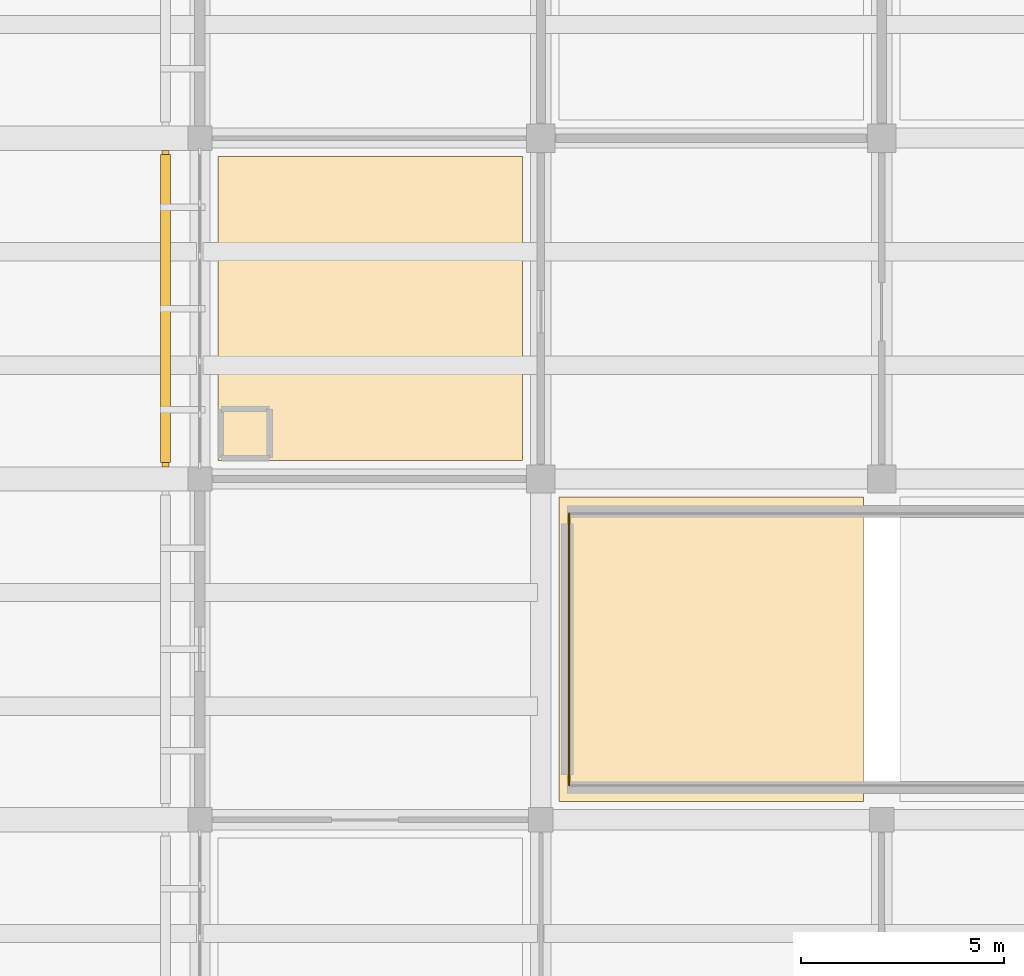
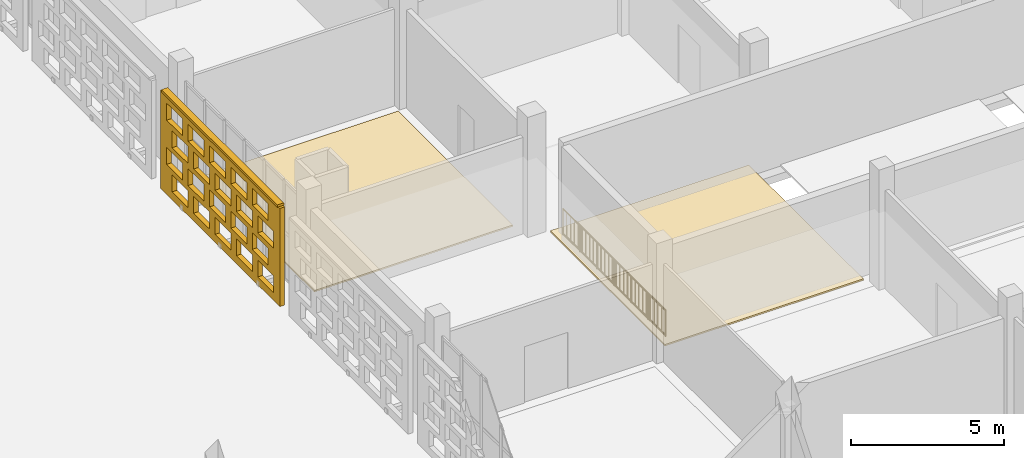
# One storey, part 117 of 129: 3 coverings, 1 railing, 1 shading device, 20 openings.
"""IFC4 building model written with IfcOpenShell, lengths in metres."""

from ifc_helpers import new_model, si_unit, direction, frame, frame_2d, origin, origin_2d, place, context, subcontext, project, spatial, rectangle, circle, extrude, material, layer, layer_set, type_object, element, save


model = new_model("IFC4")

# Units and contexts
model_context = context("Model", 3, precision=1e-05, world=origin(), true_north=direction((0.0, 1.0)))
body_context = subcontext(model_context, "Body", "Model", "MODEL_VIEW")
ifc_project = project(units=[si_unit("LENGTHUNIT", "METRE"), si_unit("AREAUNIT", "SQUARE_METRE"), si_unit("VOLUMEUNIT", "CUBIC_METRE"), si_unit("PLANEANGLEUNIT", "RADIAN"), si_unit("MASSUNIT", "GRAM", prefix="KILO")], contexts=[model_context])

# Site, building, storey
site_placement = place(None, origin())
site = spatial("IfcSite", under=ifc_project, at=site_placement, CompositionType="ELEMENT")
building_placement = place(site_placement, origin())
building = spatial("IfcBuilding", under=site, at=building_placement, Name="Varnapada Polytechnic", CompositionType="ELEMENT")
storey_placement = place(building_placement, origin())
storey = spatial("IfcBuildingStorey", under=building, at=storey_placement, Name="L00", CompositionType="ELEMENT", Elevation=0.0)

# Coverings
ifc_material_1 = material(Name="Anti-Static Raised Laboratory Flooring")
ifc_layer_1 = layer(ifc_material_1, 0.06005859375)
ifc_layer_set_1 = layer_set([ifc_layer_1], Name="Anti-Static Raised Laboratory Flooring")
covering_type_1 = type_object("IfcCoveringType", Name="Floor Finish FLR-02", PredefinedType="FLOORING", material=ifc_layer_set_1)
for number, where, z_axis, x_axis, name in (
    (1, (138.60009765625, 63.0, 0.0), (0.0, 0.0, 1.0), (1.0, 0.0, 0.0), "L00 floor finish panel (17,8)"),
    (2, (147.0, 54.60009765625, 0.0), (0.0, 0.0, 1.0), (1.0, 0.0, 0.0), "L00 floor finish panel (18,7)"),
):
    element("IfcCovering", number, at=place(storey_placement, frame(where, z_axis=z_axis, x_axis=x_axis)), inside=storey, type_object=covering_type_1, Name=name, PredefinedType="FLOORING", context=body_context, shape_type="SweptSolid", body=[
        extrude(rectangle(XDim=7.5, YDim=7.5, at=origin_2d()), origin(), (0.0, 0.0, 1.0), 0.06005859375),
    ])

# Railing
ifc_material_2 = material(Name="Painted galvanized steel", Category="steel")
railing_type = type_object("IfcRailingType", Name="Terrace Guard Rail GRD-01", PredefinedType="BALUSTRADE", material=ifc_material_2)
railing_placement = place(storey_placement, frame((143.5, 51.25, 0.0)))
element("IfcRailing", 3, at=railing_placement, inside=storey, type_object=railing_type, Name="L00 vehicle ramp well guard 3", PredefinedType="BALUSTRADE", context=body_context, shape_type="SweptSolid", body=[
    extrude(circle(Radius=0.02392578125, at=origin_2d()), frame((0.0, 0.0, 1.09619140625), z_axis=(0.0, 1.0, 0.0), x_axis=(-1.0, 0.0, 0.0)), (0.0, 0.0, 1.0), 6.699951171875),
    extrude(circle(Radius=0.02392578125, at=origin_2d()), frame((0.0, 0.0, 0.10009765625), z_axis=(0.0, 1.0, 0.0), x_axis=(-1.0, 0.0, 0.0)), (0.0, 0.0, 1.0), 6.699951171875),
    extrude(circle(Radius=0.02099609375, at=origin_2d()), origin(), (0.0, 0.0, 1.0), 1.072021484375),
    extrude(circle(Radius=0.02099609375, at=origin_2d()), frame((0.0, 1.11669921875, 0.0)), (0.0, 0.0, 1.0), 1.072021484375),
    extrude(circle(Radius=0.02099609375, at=origin_2d()), frame((0.0, 2.2333984375, 0.0)), (0.0, 0.0, 1.0), 1.072021484375),
    extrude(circle(Radius=0.02099609375, at=origin_2d()), frame((0.0, 3.35009765625, 0.0)), (0.0, 0.0, 1.0), 1.072021484375),
    extrude(circle(Radius=0.02099609375, at=origin_2d()), frame((0.0, 4.466552734375, 0.0)), (0.0, 0.0, 1.0), 1.072021484375),
    extrude(circle(Radius=0.02099609375, at=origin_2d()), frame((0.0, 5.583251953125, 0.0)), (0.0, 0.0, 1.0), 1.072021484375),
    extrude(circle(Radius=0.02099609375, at=origin_2d()), frame((0.0, 6.699951171875, 0.0)), (0.0, 0.0, 1.0), 1.072021484375),
    extrude(circle(Radius=0.010009765625, at=origin_2d()), frame((0.0, 0.248046875, 0.10009765625)), (0.0, 0.0, 1.0), 0.971923828125),
    extrude(circle(Radius=0.010009765625, at=origin_2d()), frame((0.0, 0.496337890625, 0.10009765625)), (0.0, 0.0, 1.0), 0.971923828125),
    extrude(circle(Radius=0.010009765625, at=origin_2d()), frame((0.0, 0.744384765625, 0.10009765625)), (0.0, 0.0, 1.0), 0.971923828125),
    extrude(circle(Radius=0.010009765625, at=origin_2d()), frame((0.0, 0.99267578125, 0.10009765625)), (0.0, 0.0, 1.0), 0.971923828125),
    extrude(circle(Radius=0.010009765625, at=origin_2d()), frame((0.0, 1.24072265625, 0.10009765625)), (0.0, 0.0, 1.0), 0.971923828125),
    extrude(circle(Radius=0.010009765625, at=origin_2d()), frame((0.0, 1.48876953125, 0.10009765625)), (0.0, 0.0, 1.0), 0.971923828125),
    extrude(circle(Radius=0.010009765625, at=origin_2d()), frame((0.0, 1.737060546875, 0.10009765625)), (0.0, 0.0, 1.0), 0.971923828125),
    extrude(circle(Radius=0.010009765625, at=origin_2d()), frame((0.0, 1.985107421875, 0.10009765625)), (0.0, 0.0, 1.0), 0.971923828125),
    extrude(circle(Radius=0.010009765625, at=origin_2d()), frame((0.0, 2.2333984375, 0.10009765625)), (0.0, 0.0, 1.0), 0.971923828125),
    extrude(circle(Radius=0.010009765625, at=origin_2d()), frame((0.0, 2.4814453125, 0.10009765625)), (0.0, 0.0, 1.0), 0.971923828125),
    extrude(circle(Radius=0.010009765625, at=origin_2d()), frame((0.0, 2.7294921875, 0.10009765625)), (0.0, 0.0, 1.0), 0.971923828125),
    extrude(circle(Radius=0.010009765625, at=origin_2d()), frame((0.0, 2.977783203125, 0.10009765625)), (0.0, 0.0, 1.0), 0.971923828125),
    extrude(circle(Radius=0.010009765625, at=origin_2d()), frame((0.0, 3.225830078125, 0.10009765625)), (0.0, 0.0, 1.0), 0.971923828125),
    extrude(circle(Radius=0.010009765625, at=origin_2d()), frame((0.0, 3.47412109375, 0.10009765625)), (0.0, 0.0, 1.0), 0.971923828125),
    extrude(circle(Radius=0.010009765625, at=origin_2d()), frame((0.0, 3.72216796875, 0.10009765625)), (0.0, 0.0, 1.0), 0.971923828125),
    extrude(circle(Radius=0.010009765625, at=origin_2d()), frame((0.0, 3.970458984375, 0.10009765625)), (0.0, 0.0, 1.0), 0.971923828125),
    extrude(circle(Radius=0.010009765625, at=origin_2d()), frame((0.0, 4.218505859375, 0.10009765625)), (0.0, 0.0, 1.0), 0.971923828125),
    extrude(circle(Radius=0.010009765625, at=origin_2d()), frame((0.0, 4.466552734375, 0.10009765625)), (0.0, 0.0, 1.0), 0.971923828125),
    extrude(circle(Radius=0.010009765625, at=origin_2d()), frame((0.0, 4.71484375, 0.10009765625)), (0.0, 0.0, 1.0), 0.971923828125),
    extrude(circle(Radius=0.010009765625, at=origin_2d()), frame((0.0, 4.962890625, 0.10009765625)), (0.0, 0.0, 1.0), 0.971923828125),
    extrude(circle(Radius=0.010009765625, at=origin_2d()), frame((0.0, 5.211181640625, 0.10009765625)), (0.0, 0.0, 1.0), 0.971923828125),
    extrude(circle(Radius=0.010009765625, at=origin_2d()), frame((0.0, 5.459228515625, 0.10009765625)), (0.0, 0.0, 1.0), 0.971923828125),
    extrude(circle(Radius=0.010009765625, at=origin_2d()), frame((0.0, 5.707275390625, 0.10009765625)), (0.0, 0.0, 1.0), 0.971923828125),
    extrude(circle(Radius=0.010009765625, at=origin_2d()), frame((0.0, 5.95556640625, 0.10009765625)), (0.0, 0.0, 1.0), 0.971923828125),
    extrude(circle(Radius=0.010009765625, at=origin_2d()), frame((0.0, 6.20361328125, 0.10009765625)), (0.0, 0.0, 1.0), 0.971923828125),
    extrude(circle(Radius=0.010009765625, at=origin_2d()), frame((0.0, 6.451904296875, 0.10009765625)), (0.0, 0.0, 1.0), 0.971923828125),
])

# Covering, openings
ifc_material_3 = material(Name="Earth-toned architectural terracotta screen block", Category="masonry")
ifc_layer_2 = layer(ifc_material_3, 0.1201171875)
ifc_layer_set_2 = layer_set([ifc_layer_2], Name="Earth-toned architectural terracotta screen block")
covering_type_2 = type_object("IfcCoveringType", Name="Terracotta Screen Cladding CLD-01", PredefinedType="CLADDING", material=ifc_layer_set_2)
covering_placement = place(storey_placement, frame((133.550048828125, 59.10009765625, 0.0), z_axis=(0.0, 0.0, 1.0), x_axis=(0.0, 1.0, 0.0)))
covering = element("IfcCovering", 4, at=covering_placement, inside=storey, type_object=covering_type_2, Name="L00 perforated terracotta block screen (87)", PredefinedType="CLADDING", context=body_context, shape_type="SweptSolid", body=[
    extrude(rectangle(XDim=7.7998046875, YDim=0.179931640625, at=frame_2d((3.89990234375, 0.0))), origin(), (0.0, 0.0, 1.0), 3.919921875),
])
opening_1_placement = place(covering_placement, frame((0.39990234375, 0.0, 0.313720703125)))
element("IfcOpeningElement", 5, at=opening_1_placement, cuts=covering, Name="Screen perforation TBS-L00-086.1", PredefinedType="OPENING", context=body_context, shape_type="SweptSolid", body=[
    extrude(rectangle(XDim=1.0400390625, YDim=0.679931640625, at=frame_2d((0.52001953125, 0.33984375))), frame((0.0, 0.099853515625, 0.0), z_axis=(0.0, -1.0, 0.0), x_axis=(1.0, 0.0, 0.0)), (0.0, 0.0, 1.0), 0.199951171875),
])
opening_2_placement = place(covering_placement, frame((1.800048828125, 0.0, 0.313720703125)))
element("IfcOpeningElement", 6, at=opening_2_placement, cuts=covering, Name="Screen perforation TBS-L00-086.2", PredefinedType="OPENING", context=body_context, shape_type="SweptSolid", body=[
    extrude(rectangle(XDim=1.0400390625, YDim=0.679931640625, at=frame_2d((0.52001953125, 0.33984375))), frame((0.0, 0.099853515625, 0.0), z_axis=(0.0, -1.0, 0.0), x_axis=(1.0, 0.0, 0.0)), (0.0, 0.0, 1.0), 0.199951171875),
])
opening_3_placement = place(covering_placement, frame((3.199951171875, 0.0, 0.313720703125)))
element("IfcOpeningElement", 7, at=opening_3_placement, cuts=covering, Name="Screen perforation TBS-L00-086.3", PredefinedType="OPENING", context=body_context, shape_type="SweptSolid", body=[
    extrude(rectangle(XDim=1.0400390625, YDim=0.679931640625, at=frame_2d((0.52001953125, 0.33984375))), frame((0.0, 0.099853515625, 0.0), z_axis=(0.0, -1.0, 0.0), x_axis=(1.0, 0.0, 0.0)), (0.0, 0.0, 1.0), 0.199951171875),
])
opening_4_placement = place(covering_placement, frame((4.60009765625, 0.0, 0.313720703125)))
element("IfcOpeningElement", 8, at=opening_4_placement, cuts=covering, Name="Screen perforation TBS-L00-086.4", PredefinedType="OPENING", context=body_context, shape_type="SweptSolid", body=[
    extrude(rectangle(XDim=1.0400390625, YDim=0.679931640625, at=frame_2d((0.52001953125, 0.33984375))), frame((0.0, 0.099853515625, 0.0), z_axis=(0.0, -1.0, 0.0), x_axis=(1.0, 0.0, 0.0)), (0.0, 0.0, 1.0), 0.199951171875),
])
opening_5_placement = place(covering_placement, frame((6.0, 0.0, 0.313720703125)))
element("IfcOpeningElement", 9, at=opening_5_placement, cuts=covering, Name="Screen perforation TBS-L00-086.5", PredefinedType="OPENING", context=body_context, shape_type="SweptSolid", body=[
    extrude(rectangle(XDim=1.0400390625, YDim=0.679931640625, at=frame_2d((0.52001953125, 0.33984375))), frame((0.0, 0.099853515625, 0.0), z_axis=(0.0, -1.0, 0.0), x_axis=(1.0, 0.0, 0.0)), (0.0, 0.0, 1.0), 0.199951171875),
])
opening_6_placement = place(covering_placement, frame((0.760009765625, 0.0, 1.195556640625)))
element("IfcOpeningElement", 10, at=opening_6_placement, cuts=covering, Name="Screen perforation TBS-L00-086.6", PredefinedType="OPENING", context=body_context, shape_type="SweptSolid", body=[
    extrude(rectangle(XDim=1.0400390625, YDim=0.679931640625, at=frame_2d((0.52001953125, 0.33984375))), frame((0.0, 0.099853515625, 0.0), z_axis=(0.0, -1.0, 0.0), x_axis=(1.0, 0.0, 0.0)), (0.0, 0.0, 1.0), 0.199951171875),
])
opening_7_placement = place(covering_placement, frame((2.159912109375, 0.0, 1.195556640625)))
element("IfcOpeningElement", 11, at=opening_7_placement, cuts=covering, Name="Screen perforation TBS-L00-086.7", PredefinedType="OPENING", context=body_context, shape_type="SweptSolid", body=[
    extrude(rectangle(XDim=1.0400390625, YDim=0.679931640625, at=frame_2d((0.52001953125, 0.33984375))), frame((0.0, 0.099853515625, 0.0), z_axis=(0.0, -1.0, 0.0), x_axis=(1.0, 0.0, 0.0)), (0.0, 0.0, 1.0), 0.199951171875),
])
opening_8_placement = place(covering_placement, frame((3.56005859375, 0.0, 1.195556640625)))
element("IfcOpeningElement", 12, at=opening_8_placement, cuts=covering, Name="Screen perforation TBS-L00-086.8", PredefinedType="OPENING", context=body_context, shape_type="SweptSolid", body=[
    extrude(rectangle(XDim=1.0400390625, YDim=0.679931640625, at=frame_2d((0.52001953125, 0.33984375))), frame((0.0, 0.099853515625, 0.0), z_axis=(0.0, -1.0, 0.0), x_axis=(1.0, 0.0, 0.0)), (0.0, 0.0, 1.0), 0.199951171875),
])
opening_9_placement = place(covering_placement, frame((4.9599609375, 0.0, 1.195556640625)))
element("IfcOpeningElement", 13, at=opening_9_placement, cuts=covering, Name="Screen perforation TBS-L00-086.9", PredefinedType="OPENING", context=body_context, shape_type="SweptSolid", body=[
    extrude(rectangle(XDim=1.0400390625, YDim=0.679931640625, at=frame_2d((0.52001953125, 0.33984375))), frame((0.0, 0.099853515625, 0.0), z_axis=(0.0, -1.0, 0.0), x_axis=(1.0, 0.0, 0.0)), (0.0, 0.0, 1.0), 0.199951171875),
])
opening_10_placement = place(covering_placement, frame((6.360107421875, 0.0, 1.195556640625)))
element("IfcOpeningElement", 14, at=opening_10_placement, cuts=covering, Name="Screen perforation TBS-L00-086.10", PredefinedType="OPENING", context=body_context, shape_type="SweptSolid", body=[
    extrude(rectangle(XDim=1.0400390625, YDim=0.679931640625, at=frame_2d((0.52001953125, 0.33984375))), frame((0.0, 0.099853515625, 0.0), z_axis=(0.0, -1.0, 0.0), x_axis=(1.0, 0.0, 0.0)), (0.0, 0.0, 1.0), 0.199951171875),
])
opening_11_placement = place(covering_placement, frame((0.39990234375, 0.0, 2.07763671875)))
element("IfcOpeningElement", 15, at=opening_11_placement, cuts=covering, Name="Screen perforation TBS-L00-086.11", PredefinedType="OPENING", context=body_context, shape_type="SweptSolid", body=[
    extrude(rectangle(XDim=1.0400390625, YDim=0.679931640625, at=frame_2d((0.52001953125, 0.33984375))), frame((0.0, 0.099853515625, 0.0), z_axis=(0.0, -1.0, 0.0), x_axis=(1.0, 0.0, 0.0)), (0.0, 0.0, 1.0), 0.199951171875),
])
opening_12_placement = place(covering_placement, frame((1.800048828125, 0.0, 2.07763671875)))
element("IfcOpeningElement", 16, at=opening_12_placement, cuts=covering, Name="Screen perforation TBS-L00-086.12", PredefinedType="OPENING", context=body_context, shape_type="SweptSolid", body=[
    extrude(rectangle(XDim=1.0400390625, YDim=0.679931640625, at=frame_2d((0.52001953125, 0.33984375))), frame((0.0, 0.099853515625, 0.0), z_axis=(0.0, -1.0, 0.0), x_axis=(1.0, 0.0, 0.0)), (0.0, 0.0, 1.0), 0.199951171875),
])
opening_13_placement = place(covering_placement, frame((3.199951171875, 0.0, 2.07763671875)))
element("IfcOpeningElement", 17, at=opening_13_placement, cuts=covering, Name="Screen perforation TBS-L00-086.13", PredefinedType="OPENING", context=body_context, shape_type="SweptSolid", body=[
    extrude(rectangle(XDim=1.0400390625, YDim=0.679931640625, at=frame_2d((0.52001953125, 0.33984375))), frame((0.0, 0.099853515625, 0.0), z_axis=(0.0, -1.0, 0.0), x_axis=(1.0, 0.0, 0.0)), (0.0, 0.0, 1.0), 0.199951171875),
])
opening_14_placement = place(covering_placement, frame((4.60009765625, 0.0, 2.07763671875)))
element("IfcOpeningElement", 18, at=opening_14_placement, cuts=covering, Name="Screen perforation TBS-L00-086.14", PredefinedType="OPENING", context=body_context, shape_type="SweptSolid", body=[
    extrude(rectangle(XDim=1.0400390625, YDim=0.679931640625, at=frame_2d((0.52001953125, 0.33984375))), frame((0.0, 0.099853515625, 0.0), z_axis=(0.0, -1.0, 0.0), x_axis=(1.0, 0.0, 0.0)), (0.0, 0.0, 1.0), 0.199951171875),
])
opening_15_placement = place(covering_placement, frame((6.0, 0.0, 2.07763671875)))
element("IfcOpeningElement", 19, at=opening_15_placement, cuts=covering, Name="Screen perforation TBS-L00-086.15", PredefinedType="OPENING", context=body_context, shape_type="SweptSolid", body=[
    extrude(rectangle(XDim=1.0400390625, YDim=0.679931640625, at=frame_2d((0.52001953125, 0.33984375))), frame((0.0, 0.099853515625, 0.0), z_axis=(0.0, -1.0, 0.0), x_axis=(1.0, 0.0, 0.0)), (0.0, 0.0, 1.0), 0.199951171875),
])
opening_16_placement = place(covering_placement, frame((0.760009765625, 0.0, 2.959716796875)))
element("IfcOpeningElement", 20, at=opening_16_placement, cuts=covering, Name="Screen perforation TBS-L00-086.16", PredefinedType="OPENING", context=body_context, shape_type="SweptSolid", body=[
    extrude(rectangle(XDim=1.0400390625, YDim=0.679931640625, at=frame_2d((0.52001953125, 0.33984375))), frame((0.0, 0.099853515625, 0.0), z_axis=(0.0, -1.0, 0.0), x_axis=(1.0, 0.0, 0.0)), (0.0, 0.0, 1.0), 0.199951171875),
])
opening_17_placement = place(covering_placement, frame((2.159912109375, 0.0, 2.959716796875)))
element("IfcOpeningElement", 21, at=opening_17_placement, cuts=covering, Name="Screen perforation TBS-L00-086.17", PredefinedType="OPENING", context=body_context, shape_type="SweptSolid", body=[
    extrude(rectangle(XDim=1.0400390625, YDim=0.679931640625, at=frame_2d((0.52001953125, 0.33984375))), frame((0.0, 0.099853515625, 0.0), z_axis=(0.0, -1.0, 0.0), x_axis=(1.0, 0.0, 0.0)), (0.0, 0.0, 1.0), 0.199951171875),
])
opening_18_placement = place(covering_placement, frame((3.56005859375, 0.0, 2.959716796875)))
element("IfcOpeningElement", 22, at=opening_18_placement, cuts=covering, Name="Screen perforation TBS-L00-086.18", PredefinedType="OPENING", context=body_context, shape_type="SweptSolid", body=[
    extrude(rectangle(XDim=1.0400390625, YDim=0.679931640625, at=frame_2d((0.52001953125, 0.33984375))), frame((0.0, 0.099853515625, 0.0), z_axis=(0.0, -1.0, 0.0), x_axis=(1.0, 0.0, 0.0)), (0.0, 0.0, 1.0), 0.199951171875),
])
opening_19_placement = place(covering_placement, frame((4.9599609375, 0.0, 2.959716796875)))
element("IfcOpeningElement", 23, at=opening_19_placement, cuts=covering, Name="Screen perforation TBS-L00-086.19", PredefinedType="OPENING", context=body_context, shape_type="SweptSolid", body=[
    extrude(rectangle(XDim=1.0400390625, YDim=0.679931640625, at=frame_2d((0.52001953125, 0.33984375))), frame((0.0, 0.099853515625, 0.0), z_axis=(0.0, -1.0, 0.0), x_axis=(1.0, 0.0, 0.0)), (0.0, 0.0, 1.0), 0.199951171875),
])
opening_20_placement = place(covering_placement, frame((6.360107421875, 0.0, 2.959716796875)))
element("IfcOpeningElement", 24, at=opening_20_placement, cuts=covering, Name="Screen perforation TBS-L00-086.20", PredefinedType="OPENING", context=body_context, shape_type="SweptSolid", body=[
    extrude(rectangle(XDim=1.0400390625, YDim=0.679931640625, at=frame_2d((0.52001953125, 0.33984375))), frame((0.0, 0.099853515625, 0.0), z_axis=(0.0, -1.0, 0.0), x_axis=(1.0, 0.0, 0.0)), (0.0, 0.0, 1.0), 0.199951171875),
])

# Shading device
ifc_layer_3 = layer(ifc_material_3, 0.179931640625)
ifc_layer_set_3 = layer_set([ifc_layer_3], Name="Earth-toned architectural terracotta screen block")
shading_device_type = type_object("IfcShadingDeviceType", Name="Terracotta Screen SCR-02", PredefinedType="USERDEFINED", material=ifc_layer_set_3)
shading_device_placement = place(storey_placement, frame((133.550048828125, 63.0, 3.909912109375), z_axis=(0.0, 0.0, 1.0), x_axis=(0.0, 1.0, 0.0)))
element("IfcShadingDevice", 25, at=shading_device_placement, inside=storey, type_object=shading_device_type, Name="L00 perforated terracotta screen hood 60", ObjectType="SCREEN", PredefinedType="USERDEFINED", context=body_context, shape_type="SweptSolid", body=[
    extrude(rectangle(XDim=7.60009765625, YDim=0.239990234375, at=origin_2d()), origin(), (0.0, 0.0, 1.0), 0.10009765625),
])

save(model, "model.ifc")
